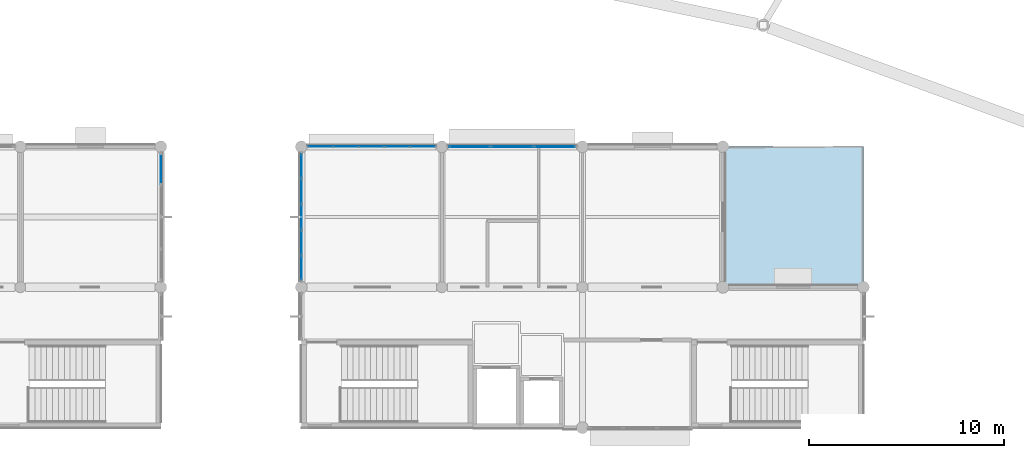
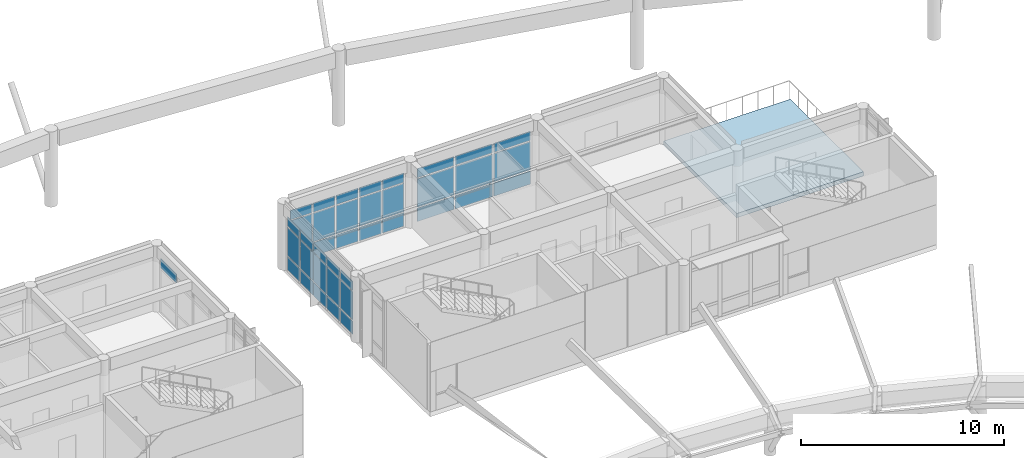
# One storey, part 17 of 37: 40 plates, 1 slab, 4 elements without a shape of their own.
"""IFC4 building model written with IfcOpenShell, lengths in metres."""

from ifc_helpers import new_model, si_unit, direction, frame, origin, origin_2d, place, context, subcontext, project, spatial, polyline, rectangle, outline, extrude, material, layer, layer_set, type_object, element, aggregate, save


model = new_model("IFC4")

# Units and contexts
model_context = context("Model", 3, precision=1e-05, world=origin(), true_north=direction((0.0, 1.0)))
body_context = subcontext(model_context, "Body", "Model", "MODEL_VIEW")
ifc_project = project(units=[si_unit("LENGTHUNIT", "METRE"), si_unit("AREAUNIT", "SQUARE_METRE"), si_unit("VOLUMEUNIT", "CUBIC_METRE"), si_unit("PLANEANGLEUNIT", "RADIAN"), si_unit("MASSUNIT", "GRAM", prefix="KILO")], contexts=[model_context])

# Site, building, storey
site_placement = place(None, origin())
site = spatial("IfcSite", under=ifc_project, at=site_placement, CompositionType="ELEMENT")
building_placement = place(site_placement, origin())
building = spatial("IfcBuilding", under=site, at=building_placement, Name="Namkhue Oval Health Centre", CompositionType="ELEMENT")
storey_placement = place(building_placement, frame((0.0, 0.0, 22.199951171875)))
storey = spatial("IfcBuildingStorey", under=building, at=storey_placement, Name="L05", CompositionType="ELEMENT", Elevation=22.199951171875)

# Curtain wall, plates
ifc_material_1 = material(Name="Anodised aluminium EN AW-6063 T6", Category="aluminium")
ifc_layer_1 = layer(ifc_material_1, 0.159912109375)
ifc_layer_set_1 = layer_set([ifc_layer_1], Name="Anodised aluminium EN AW-6063 T6")
curtain_wall_type_1 = type_object("IfcCurtainWallType", Name="UNITISED CURTAIN WALL M1200", PredefinedType="NOTDEFINED", material=ifc_layer_set_1)
curtain_wall_1_placement = place(storey_placement, origin())
curtain_wall_1 = element("IfcCurtainWall", 1, at=curtain_wall_1_placement, inside=storey, type_object=curtain_wall_type_1, Name="Volume V3 L05 Unitised Curtain Wall 133", PredefinedType="NOTDEFINED")
ifc_material_2 = material(Name="Thermally broken low-E laminated double glazing", Category="glass")
ifc_layer_2 = layer(ifc_material_2, 0.02587890625)
ifc_layer_set_2 = layer_set([ifc_layer_2], Name="Thermally broken low-E laminated double glazing")
plate_type_1 = type_object("IfcPlateType", Name="CURTAIN WALL GLAZED PANEL 26", PredefinedType="CURTAIN_PANEL", material=ifc_layer_set_2)
plate_1_placement = place(storey_placement, frame((99.815673828125, 104.39990234375, 0.06494140625), z_axis=(0.0, 0.0, 1.0), x_axis=(-1.0, 0.0, 0.0)))
plate_1 = element("IfcPlate", 2, at=plate_1_placement, type_object=plate_type_1, Name="CW-01 panel 1.1", PredefinedType="CURTAIN_PANEL", context=body_context, shape_type="SweptSolid", body=[
    extrude(rectangle(XDim=1.218505859375, YDim=0.02587890625, at=origin_2d()), origin(), (0.0, 0.0, 1.0), 0.802490234375),
])
plate_2_placement = place(storey_placement, frame((99.815673828125, 104.39990234375, 0.9326171875), z_axis=(0.0, 0.0, 1.0), x_axis=(-1.0, 0.0, 0.0)))
plate_2 = element("IfcPlate", 3, at=plate_2_placement, type_object=plate_type_1, Name="CW-01 panel 1.2", PredefinedType="CURTAIN_PANEL", context=body_context, shape_type="SweptSolid", body=[
    extrude(rectangle(XDim=1.218505859375, YDim=0.02587890625, at=origin_2d()), origin(), (0.0, 0.0, 1.0), 1.705078125),
])
plate_3_placement = place(storey_placement, frame((99.815673828125, 104.39990234375, 2.70263671875), z_axis=(0.0, 0.0, 1.0), x_axis=(-1.0, 0.0, 0.0)))
plate_3 = element("IfcPlate", 4, at=plate_3_placement, type_object=plate_type_1, Name="CW-01 panel 1.3", PredefinedType="CURTAIN_PANEL", context=body_context, shape_type="SweptSolid", body=[
    extrude(rectangle(XDim=1.218505859375, YDim=0.02587890625, at=origin_2d()), origin(), (0.0, 0.0, 1.0), 0.552490234375),
])
plate_4_placement = place(storey_placement, frame((98.51611328125, 104.39990234375, 0.06494140625), z_axis=(0.0, 0.0, 1.0), x_axis=(-1.0, 0.0, 0.0)))
plate_4 = element("IfcPlate", 5, at=plate_4_placement, type_object=plate_type_1, Name="CW-01 panel 2.1", PredefinedType="CURTAIN_PANEL", context=body_context, shape_type="SweptSolid", body=[
    extrude(rectangle(XDim=1.2509765625, YDim=0.02587890625, at=origin_2d()), origin(), (0.0, 0.0, 1.0), 0.802490234375),
])
plate_5_placement = place(storey_placement, frame((98.51611328125, 104.39990234375, 0.9326171875), z_axis=(0.0, 0.0, 1.0), x_axis=(-1.0, 0.0, 0.0)))
plate_5 = element("IfcPlate", 6, at=plate_5_placement, type_object=plate_type_1, Name="CW-01 panel 2.2", PredefinedType="CURTAIN_PANEL", context=body_context, shape_type="SweptSolid", body=[
    extrude(rectangle(XDim=1.2509765625, YDim=0.02587890625, at=origin_2d()), origin(), (0.0, 0.0, 1.0), 1.705078125),
])
plate_6_placement = place(storey_placement, frame((98.51611328125, 104.39990234375, 2.70263671875), z_axis=(0.0, 0.0, 1.0), x_axis=(-1.0, 0.0, 0.0)))
plate_6 = element("IfcPlate", 7, at=plate_6_placement, type_object=plate_type_1, Name="CW-01 panel 2.3", PredefinedType="CURTAIN_PANEL", context=body_context, shape_type="SweptSolid", body=[
    extrude(rectangle(XDim=1.2509765625, YDim=0.02587890625, at=origin_2d()), origin(), (0.0, 0.0, 1.0), 0.552490234375),
])
plate_7_placement = place(storey_placement, frame((97.199951171875, 104.39990234375, 0.06494140625), z_axis=(0.0, 0.0, 1.0), x_axis=(-1.0, 0.0, 0.0)))
plate_7 = element("IfcPlate", 8, at=plate_7_placement, type_object=plate_type_1, Name="CW-01 panel 3.1", PredefinedType="CURTAIN_PANEL", context=body_context, shape_type="SweptSolid", body=[
    extrude(rectangle(XDim=1.2509765625, YDim=0.02587890625, at=origin_2d()), origin(), (0.0, 0.0, 1.0), 0.802490234375),
])
plate_8_placement = place(storey_placement, frame((97.199951171875, 104.39990234375, 0.9326171875), z_axis=(0.0, 0.0, 1.0), x_axis=(-1.0, 0.0, 0.0)))
plate_8 = element("IfcPlate", 9, at=plate_8_placement, type_object=plate_type_1, Name="CW-01 panel 3.2", PredefinedType="CURTAIN_PANEL", context=body_context, shape_type="SweptSolid", body=[
    extrude(rectangle(XDim=1.2509765625, YDim=0.02587890625, at=origin_2d()), origin(), (0.0, 0.0, 1.0), 1.705078125),
])
plate_9_placement = place(storey_placement, frame((97.199951171875, 104.39990234375, 2.70263671875), z_axis=(0.0, 0.0, 1.0), x_axis=(-1.0, 0.0, 0.0)))
plate_9 = element("IfcPlate", 10, at=plate_9_placement, type_object=plate_type_1, Name="CW-01 panel 3.3", PredefinedType="CURTAIN_PANEL", context=body_context, shape_type="SweptSolid", body=[
    extrude(rectangle(XDim=1.2509765625, YDim=0.02587890625, at=origin_2d()), origin(), (0.0, 0.0, 1.0), 0.552490234375),
])
plate_10_placement = place(storey_placement, frame((95.884033203125, 104.39990234375, 0.06494140625), z_axis=(0.0, 0.0, 1.0), x_axis=(-1.0, 0.0, 0.0)))
plate_10 = element("IfcPlate", 11, at=plate_10_placement, type_object=plate_type_1, Name="CW-01 panel 4.1", PredefinedType="CURTAIN_PANEL", context=body_context, shape_type="SweptSolid", body=[
    extrude(rectangle(XDim=1.2509765625, YDim=0.02587890625, at=origin_2d()), origin(), (0.0, 0.0, 1.0), 0.802490234375),
])
plate_11_placement = place(storey_placement, frame((95.884033203125, 104.39990234375, 0.9326171875), z_axis=(0.0, 0.0, 1.0), x_axis=(-1.0, 0.0, 0.0)))
plate_11 = element("IfcPlate", 12, at=plate_11_placement, type_object=plate_type_1, Name="CW-01 panel 4.2", PredefinedType="CURTAIN_PANEL", context=body_context, shape_type="SweptSolid", body=[
    extrude(rectangle(XDim=1.2509765625, YDim=0.02587890625, at=origin_2d()), origin(), (0.0, 0.0, 1.0), 1.705078125),
])
plate_12_placement = place(storey_placement, frame((95.884033203125, 104.39990234375, 2.70263671875), z_axis=(0.0, 0.0, 1.0), x_axis=(-1.0, 0.0, 0.0)))
plate_12 = element("IfcPlate", 13, at=plate_12_placement, type_object=plate_type_1, Name="CW-01 panel 4.3", PredefinedType="CURTAIN_PANEL", context=body_context, shape_type="SweptSolid", body=[
    extrude(rectangle(XDim=1.2509765625, YDim=0.02587890625, at=origin_2d()), origin(), (0.0, 0.0, 1.0), 0.552490234375),
])
plate_13_placement = place(storey_placement, frame((94.584228515625, 104.39990234375, 0.06494140625), z_axis=(0.0, 0.0, 1.0), x_axis=(-1.0, 0.0, 0.0)))
plate_13 = element("IfcPlate", 14, at=plate_13_placement, type_object=plate_type_1, Name="CW-01 panel 5.1", PredefinedType="CURTAIN_PANEL", context=body_context, shape_type="SweptSolid", body=[
    extrude(rectangle(XDim=1.218505859375, YDim=0.02587890625, at=origin_2d()), origin(), (0.0, 0.0, 1.0), 0.802490234375),
])
plate_14_placement = place(storey_placement, frame((94.584228515625, 104.39990234375, 0.9326171875), z_axis=(0.0, 0.0, 1.0), x_axis=(-1.0, 0.0, 0.0)))
plate_14 = element("IfcPlate", 15, at=plate_14_placement, type_object=plate_type_1, Name="CW-01 panel 5.2", PredefinedType="CURTAIN_PANEL", context=body_context, shape_type="SweptSolid", body=[
    extrude(rectangle(XDim=1.218505859375, YDim=0.02587890625, at=origin_2d()), origin(), (0.0, 0.0, 1.0), 1.705078125),
])
plate_15_placement = place(storey_placement, frame((94.584228515625, 104.39990234375, 2.70263671875), z_axis=(0.0, 0.0, 1.0), x_axis=(-1.0, 0.0, 0.0)))
plate_15 = element("IfcPlate", 16, at=plate_15_placement, type_object=plate_type_1, Name="CW-01 panel 5.3", PredefinedType="CURTAIN_PANEL", context=body_context, shape_type="SweptSolid", body=[
    extrude(rectangle(XDim=1.218505859375, YDim=0.02587890625, at=origin_2d()), origin(), (0.0, 0.0, 1.0), 0.552490234375),
])
aggregate(curtain_wall_1, [plate_1, plate_2, plate_3, plate_4, plate_5, plate_6, plate_7, plate_8, plate_9, plate_10, plate_11, plate_12, plate_13, plate_14, plate_15])

ifc_layer_3 = layer(ifc_material_1, 0.159912109375)
ifc_layer_set_3 = layer_set([ifc_layer_3], Name="Anodised aluminium EN AW-6063 T6")
curtain_wall_type_2 = type_object("IfcCurtainWallType", Name="UNITISED CURTAIN WALL M1350", PredefinedType="NOTDEFINED", material=ifc_layer_set_3)
curtain_wall_2_placement = place(storey_placement, origin())
curtain_wall_2 = element("IfcCurtainWall", 17, at=curtain_wall_2_placement, inside=storey, type_object=curtain_wall_type_2, Name="Volume V3 L05 Unitised Curtain Wall 134", PredefinedType="NOTDEFINED")
ifc_layer_4 = layer(ifc_material_2, 0.028076171875)
ifc_layer_set_4 = layer_set([ifc_layer_4], Name="Thermally broken low-E laminated double glazing")
plate_type_2 = type_object("IfcPlateType", Name="CURTAIN WALL GLAZED PANEL 28", PredefinedType="CURTAIN_PANEL", material=ifc_layer_set_4)
plate_16_placement = place(storey_placement, frame((93.60009765625, 103.413330078125, 0.074951171875), z_axis=(0.0, 0.0, 1.0), x_axis=(0.0, -1.0, 0.0)))
plate_16 = element("IfcPlate", 18, at=plate_16_placement, type_object=plate_type_2, Name="CW-02 panel 1.1", PredefinedType="CURTAIN_PANEL", context=body_context, shape_type="SweptSolid", body=[
    extrude(rectangle(XDim=1.20361328125, YDim=0.028076171875, at=origin_2d()), origin(), (0.0, 0.0, 1.0), 0.78759765625),
])
plate_17_placement = place(storey_placement, frame((93.60009765625, 103.413330078125, 0.9375), z_axis=(0.0, 0.0, 1.0), x_axis=(0.0, -1.0, 0.0)))
plate_17 = element("IfcPlate", 19, at=plate_17_placement, type_object=plate_type_2, Name="CW-02 panel 1.2", PredefinedType="CURTAIN_PANEL", context=body_context, shape_type="SweptSolid", body=[
    extrude(rectangle(XDim=1.20361328125, YDim=0.028076171875, at=origin_2d()), origin(), (0.0, 0.0, 1.0), 1.695068359375),
])
plate_18_placement = place(storey_placement, frame((93.60009765625, 103.413330078125, 2.70751953125), z_axis=(0.0, 0.0, 1.0), x_axis=(0.0, -1.0, 0.0)))
plate_18 = element("IfcPlate", 20, at=plate_18_placement, type_object=plate_type_2, Name="CW-02 panel 1.3", PredefinedType="CURTAIN_PANEL", context=body_context, shape_type="SweptSolid", body=[
    extrude(rectangle(XDim=1.20361328125, YDim=0.028076171875, at=origin_2d()), origin(), (0.0, 0.0, 1.0), 0.53759765625),
])
plate_19_placement = place(storey_placement, frame((93.60009765625, 102.115966796875, 0.074951171875), z_axis=(0.0, 0.0, 1.0), x_axis=(0.0, -1.0, 0.0)))
plate_19 = element("IfcPlate", 21, at=plate_19_placement, type_object=plate_type_2, Name="CW-02 panel 2.1", PredefinedType="CURTAIN_PANEL", context=body_context, shape_type="SweptSolid", body=[
    extrude(rectangle(XDim=1.240966796875, YDim=0.028076171875, at=origin_2d()), origin(), (0.0, 0.0, 1.0), 0.78759765625),
])
plate_20_placement = place(storey_placement, frame((93.60009765625, 102.115966796875, 0.9375), z_axis=(0.0, 0.0, 1.0), x_axis=(0.0, -1.0, 0.0)))
plate_20 = element("IfcPlate", 22, at=plate_20_placement, type_object=plate_type_2, Name="CW-02 panel 2.2", PredefinedType="CURTAIN_PANEL", context=body_context, shape_type="SweptSolid", body=[
    extrude(rectangle(XDim=1.240966796875, YDim=0.028076171875, at=origin_2d()), origin(), (0.0, 0.0, 1.0), 1.695068359375),
])
plate_21_placement = place(storey_placement, frame((93.60009765625, 102.115966796875, 2.70751953125), z_axis=(0.0, 0.0, 1.0), x_axis=(0.0, -1.0, 0.0)))
plate_21 = element("IfcPlate", 23, at=plate_21_placement, type_object=plate_type_2, Name="CW-02 panel 2.3", PredefinedType="CURTAIN_PANEL", context=body_context, shape_type="SweptSolid", body=[
    extrude(rectangle(XDim=1.240966796875, YDim=0.028076171875, at=origin_2d()), origin(), (0.0, 0.0, 1.0), 0.53759765625),
])
plate_22_placement = place(storey_placement, frame((93.60009765625, 100.800048828125, 0.074951171875), z_axis=(0.0, 0.0, 1.0), x_axis=(0.0, -1.0, 0.0)))
plate_22 = element("IfcPlate", 24, at=plate_22_placement, type_object=plate_type_2, Name="CW-02 panel 3.1", PredefinedType="CURTAIN_PANEL", context=body_context, shape_type="SweptSolid", body=[
    extrude(rectangle(XDim=1.240966796875, YDim=0.028076171875, at=origin_2d()), origin(), (0.0, 0.0, 1.0), 0.78759765625),
])
plate_23_placement = place(storey_placement, frame((93.60009765625, 100.800048828125, 0.9375), z_axis=(0.0, 0.0, 1.0), x_axis=(0.0, -1.0, 0.0)))
plate_23 = element("IfcPlate", 25, at=plate_23_placement, type_object=plate_type_2, Name="CW-02 panel 3.2", PredefinedType="CURTAIN_PANEL", context=body_context, shape_type="SweptSolid", body=[
    extrude(rectangle(XDim=1.240966796875, YDim=0.028076171875, at=origin_2d()), origin(), (0.0, 0.0, 1.0), 1.695068359375),
])
plate_24_placement = place(storey_placement, frame((93.60009765625, 100.800048828125, 2.70751953125), z_axis=(0.0, 0.0, 1.0), x_axis=(0.0, -1.0, 0.0)))
plate_24 = element("IfcPlate", 26, at=plate_24_placement, type_object=plate_type_2, Name="CW-02 panel 3.3", PredefinedType="CURTAIN_PANEL", context=body_context, shape_type="SweptSolid", body=[
    extrude(rectangle(XDim=1.240966796875, YDim=0.028076171875, at=origin_2d()), origin(), (0.0, 0.0, 1.0), 0.53759765625),
])
plate_25_placement = place(storey_placement, frame((93.60009765625, 99.48388671875, 0.074951171875), z_axis=(0.0, 0.0, 1.0), x_axis=(0.0, -1.0, 0.0)))
plate_25 = element("IfcPlate", 27, at=plate_25_placement, type_object=plate_type_2, Name="CW-02 panel 4.1", PredefinedType="CURTAIN_PANEL", context=body_context, shape_type="SweptSolid", body=[
    extrude(rectangle(XDim=1.240966796875, YDim=0.028076171875, at=origin_2d()), origin(), (0.0, 0.0, 1.0), 0.78759765625),
])
plate_26_placement = place(storey_placement, frame((93.60009765625, 99.48388671875, 0.9375), z_axis=(0.0, 0.0, 1.0), x_axis=(0.0, -1.0, 0.0)))
plate_26 = element("IfcPlate", 28, at=plate_26_placement, type_object=plate_type_2, Name="CW-02 panel 4.2", PredefinedType="CURTAIN_PANEL", context=body_context, shape_type="SweptSolid", body=[
    extrude(rectangle(XDim=1.240966796875, YDim=0.028076171875, at=origin_2d()), origin(), (0.0, 0.0, 1.0), 1.695068359375),
])
plate_27_placement = place(storey_placement, frame((93.60009765625, 99.48388671875, 2.70751953125), z_axis=(0.0, 0.0, 1.0), x_axis=(0.0, -1.0, 0.0)))
plate_27 = element("IfcPlate", 29, at=plate_27_placement, type_object=plate_type_2, Name="CW-02 panel 4.3", PredefinedType="CURTAIN_PANEL", context=body_context, shape_type="SweptSolid", body=[
    extrude(rectangle(XDim=1.240966796875, YDim=0.028076171875, at=origin_2d()), origin(), (0.0, 0.0, 1.0), 0.53759765625),
])
plate_28_placement = place(storey_placement, frame((93.60009765625, 98.186767578125, 0.074951171875), z_axis=(0.0, 0.0, 1.0), x_axis=(0.0, -1.0, 0.0)))
plate_28 = element("IfcPlate", 30, at=plate_28_placement, type_object=plate_type_2, Name="CW-02 panel 5.1", PredefinedType="CURTAIN_PANEL", context=body_context, shape_type="SweptSolid", body=[
    extrude(rectangle(XDim=1.20361328125, YDim=0.028076171875, at=origin_2d()), origin(), (0.0, 0.0, 1.0), 0.78759765625),
])
plate_29_placement = place(storey_placement, frame((93.60009765625, 98.186767578125, 0.9375), z_axis=(0.0, 0.0, 1.0), x_axis=(0.0, -1.0, 0.0)))
plate_29 = element("IfcPlate", 31, at=plate_29_placement, type_object=plate_type_2, Name="CW-02 panel 5.2", PredefinedType="CURTAIN_PANEL", context=body_context, shape_type="SweptSolid", body=[
    extrude(rectangle(XDim=1.20361328125, YDim=0.028076171875, at=origin_2d()), origin(), (0.0, 0.0, 1.0), 1.695068359375),
])
plate_30_placement = place(storey_placement, frame((93.60009765625, 98.186767578125, 2.70751953125), z_axis=(0.0, 0.0, 1.0), x_axis=(0.0, -1.0, 0.0)))
plate_30 = element("IfcPlate", 32, at=plate_30_placement, type_object=plate_type_2, Name="CW-02 panel 5.3", PredefinedType="CURTAIN_PANEL", context=body_context, shape_type="SweptSolid", body=[
    extrude(rectangle(XDim=1.20361328125, YDim=0.028076171875, at=origin_2d()), origin(), (0.0, 0.0, 1.0), 0.53759765625),
])
aggregate(curtain_wall_2, [plate_16, plate_17, plate_18, plate_19, plate_20, plate_21, plate_22, plate_23, plate_24, plate_25, plate_26, plate_27, plate_28, plate_29, plate_30])

# Curtain wall, plate
ifc_layer_5 = layer(ifc_material_1, 0.159912109375)
ifc_layer_set_5 = layer_set([ifc_layer_5], Name="Anodised aluminium EN AW-6063 T6")
curtain_wall_type_3 = type_object("IfcCurtainWallType", Name="UNITISED CURTAIN WALL M1500", PredefinedType="NOTDEFINED", material=ifc_layer_set_5)
curtain_wall_3_placement = place(storey_placement, origin())
curtain_wall_3 = element("IfcCurtainWall", 33, at=curtain_wall_3_placement, inside=storey, type_object=curtain_wall_type_3, Name="Volume V2 L05 Unitised Curtain Wall 87", PredefinedType="NOTDEFINED")
ifc_material_3 = material(Name="Insulated anodised aluminium spandrel panel", Category="aluminium")
ifc_layer_6 = layer(ifc_material_3, 0.031982421875)
ifc_layer_set_6 = layer_set([ifc_layer_6], Name="Insulated anodised aluminium spandrel panel")
plate_type_3 = type_object("IfcPlateType", Name="CURTAIN WALL SPANDREL PANEL 32", PredefinedType="CURTAIN_PANEL", material=ifc_layer_set_6)
plate_31_placement = place(storey_placement, frame((86.39990234375, 103.251220703125, 2.70751953125), z_axis=(0.0, 0.0, 1.0), x_axis=(0.0, 1.0, 0.0)))
plate_31 = element("IfcPlate", 34, at=plate_31_placement, type_object=plate_type_3, Name="CW-03 panel 4.3", PredefinedType="CURTAIN_PANEL", context=body_context, shape_type="SweptSolid", body=[
    extrude(rectangle(XDim=1.547607421875, YDim=0.031982421875, at=origin_2d()), origin(), (0.0, 0.0, 1.0), 0.552490234375),
])
aggregate(curtain_wall_3, [plate_31])

# Curtain wall, plates
ifc_layer_7 = layer(ifc_material_1, 0.159912109375)
ifc_layer_set_7 = layer_set([ifc_layer_7], Name="Anodised aluminium EN AW-6063 T6")
curtain_wall_type_4 = type_object("IfcCurtainWallType", Name="UNITISED CURTAIN WALL M2000", PredefinedType="NOTDEFINED", material=ifc_layer_set_7)
curtain_wall_4_placement = place(storey_placement, origin())
curtain_wall_4 = element("IfcCurtainWall", 35, at=curtain_wall_4_placement, inside=storey, type_object=curtain_wall_type_4, Name="Volume V3 L05 Unitised Curtain Wall 132", PredefinedType="NOTDEFINED")
ifc_layer_8 = layer(ifc_material_3, 0.035888671875)
ifc_layer_set_8 = layer_set([ifc_layer_8], Name="Insulated anodised aluminium spandrel panel")
plate_type_4 = type_object("IfcPlateType", Name="CURTAIN WALL SPANDREL PANEL 36", PredefinedType="CURTAIN_PANEL", material=ifc_layer_set_8)
plate_32_placement = place(storey_placement, frame((106.574462890625, 104.39990234375, 0.074951171875), z_axis=(0.0, 0.0, 1.0), x_axis=(-1.0, 0.0, 0.0)))
plate_32 = element("IfcPlate", 36, at=plate_32_placement, type_object=plate_type_4, Name="CW-06 panel 1.1", PredefinedType="CURTAIN_PANEL", context=body_context, shape_type="SweptSolid", body=[
    extrude(rectangle(XDim=2.080810546875, YDim=0.035888671875, at=origin_2d()), origin(), (0.0, 0.0, 1.0), 0.78759765625),
])
plate_33_placement = place(storey_placement, frame((106.574462890625, 104.39990234375, 0.9375), z_axis=(0.0, 0.0, 1.0), x_axis=(-1.0, 0.0, 0.0)))
plate_33 = element("IfcPlate", 37, at=plate_33_placement, type_object=plate_type_4, Name="CW-06 panel 1.2", PredefinedType="CURTAIN_PANEL", context=body_context, shape_type="SweptSolid", body=[
    extrude(rectangle(XDim=2.080810546875, YDim=0.035888671875, at=origin_2d()), origin(), (0.0, 0.0, 1.0), 1.695068359375),
])
plate_34_placement = place(storey_placement, frame((106.574462890625, 104.39990234375, 2.70751953125), z_axis=(0.0, 0.0, 1.0), x_axis=(-1.0, 0.0, 0.0)))
plate_34 = element("IfcPlate", 38, at=plate_34_placement, type_object=plate_type_4, Name="CW-06 panel 1.3", PredefinedType="CURTAIN_PANEL", context=body_context, shape_type="SweptSolid", body=[
    extrude(rectangle(XDim=2.080810546875, YDim=0.035888671875, at=origin_2d()), origin(), (0.0, 0.0, 1.0), 0.53759765625),
])
plate_35_placement = place(storey_placement, frame((104.39990234375, 104.39990234375, 0.074951171875), z_axis=(0.0, 0.0, 1.0), x_axis=(-1.0, 0.0, 0.0)))
plate_35 = element("IfcPlate", 39, at=plate_35_placement, type_object=plate_type_4, Name="CW-06 panel 2.1", PredefinedType="CURTAIN_PANEL", context=body_context, shape_type="SweptSolid", body=[
    extrude(rectangle(XDim=2.118408203125, YDim=0.035888671875, at=origin_2d()), origin(), (0.0, 0.0, 1.0), 0.78759765625),
])
plate_36_placement = place(storey_placement, frame((104.39990234375, 104.39990234375, 0.9375), z_axis=(0.0, 0.0, 1.0), x_axis=(-1.0, 0.0, 0.0)))
plate_36 = element("IfcPlate", 40, at=plate_36_placement, type_object=plate_type_4, Name="CW-06 panel 2.2", PredefinedType="CURTAIN_PANEL", context=body_context, shape_type="SweptSolid", body=[
    extrude(rectangle(XDim=2.118408203125, YDim=0.035888671875, at=origin_2d()), origin(), (0.0, 0.0, 1.0), 1.695068359375),
])
plate_37_placement = place(storey_placement, frame((104.39990234375, 104.39990234375, 2.70751953125), z_axis=(0.0, 0.0, 1.0), x_axis=(-1.0, 0.0, 0.0)))
plate_37 = element("IfcPlate", 41, at=plate_37_placement, type_object=plate_type_4, Name="CW-06 panel 2.3", PredefinedType="CURTAIN_PANEL", context=body_context, shape_type="SweptSolid", body=[
    extrude(rectangle(XDim=2.118408203125, YDim=0.035888671875, at=origin_2d()), origin(), (0.0, 0.0, 1.0), 0.53759765625),
])
plate_38_placement = place(storey_placement, frame((102.225341796875, 104.39990234375, 0.074951171875), z_axis=(0.0, 0.0, 1.0), x_axis=(-1.0, 0.0, 0.0)))
plate_38 = element("IfcPlate", 42, at=plate_38_placement, type_object=plate_type_4, Name="CW-06 panel 3.1", PredefinedType="CURTAIN_PANEL", context=body_context, shape_type="SweptSolid", body=[
    extrude(rectangle(XDim=2.080810546875, YDim=0.035888671875, at=origin_2d()), origin(), (0.0, 0.0, 1.0), 0.78759765625),
])
plate_39_placement = place(storey_placement, frame((102.225341796875, 104.39990234375, 0.9375), z_axis=(0.0, 0.0, 1.0), x_axis=(-1.0, 0.0, 0.0)))
plate_39 = element("IfcPlate", 43, at=plate_39_placement, type_object=plate_type_4, Name="CW-06 panel 3.2", PredefinedType="CURTAIN_PANEL", context=body_context, shape_type="SweptSolid", body=[
    extrude(rectangle(XDim=2.080810546875, YDim=0.035888671875, at=origin_2d()), origin(), (0.0, 0.0, 1.0), 1.695068359375),
])
plate_40_placement = place(storey_placement, frame((102.225341796875, 104.39990234375, 2.70751953125), z_axis=(0.0, 0.0, 1.0), x_axis=(-1.0, 0.0, 0.0)))
plate_40 = element("IfcPlate", 44, at=plate_40_placement, type_object=plate_type_4, Name="CW-06 panel 3.3", PredefinedType="CURTAIN_PANEL", context=body_context, shape_type="SweptSolid", body=[
    extrude(rectangle(XDim=2.080810546875, YDim=0.035888671875, at=origin_2d()), origin(), (0.0, 0.0, 1.0), 0.53759765625),
])
aggregate(curtain_wall_4, [plate_32, plate_33, plate_34, plate_35, plate_36, plate_37, plate_38, plate_39, plate_40])

# Slab
ifc_material_4 = material(Name="Reinforced concrete C30/37 (TCVN B35)", Category="concrete")
ifc_layer_9 = layer(ifc_material_4, 0.248046875)
ifc_layer_set_9 = layer_set([ifc_layer_9], Name="Reinforced concrete C30/37 (TCVN B35)")
slab_type = type_object("IfcSlabType", Name="EXTERIOR TERRACE SLAB 248", PredefinedType="FLOOR", material=ifc_layer_set_9)
slab_placement = place(storey_placement, frame((0.0, 0.0, -0.248046875)))
element("IfcSlab", 45, at=slab_placement, inside=storey, type_object=slab_type, Name="Volume V3 L05 Exterior Roof Terrace Slab", PredefinedType="FLOOR", context=body_context, shape_type="SweptSolid", body=[
    extrude(outline(polyline([(115.199951171875, 97.199951171875), (122.39990234375, 97.199951171875), (122.39990234375, 104.39990234375), (115.199951171875, 104.39990234375), (115.199951171875, 97.199951171875)])), origin(), (0.0, 0.0, 1.0), 0.248046875),
])

save(model, "model.ifc")
